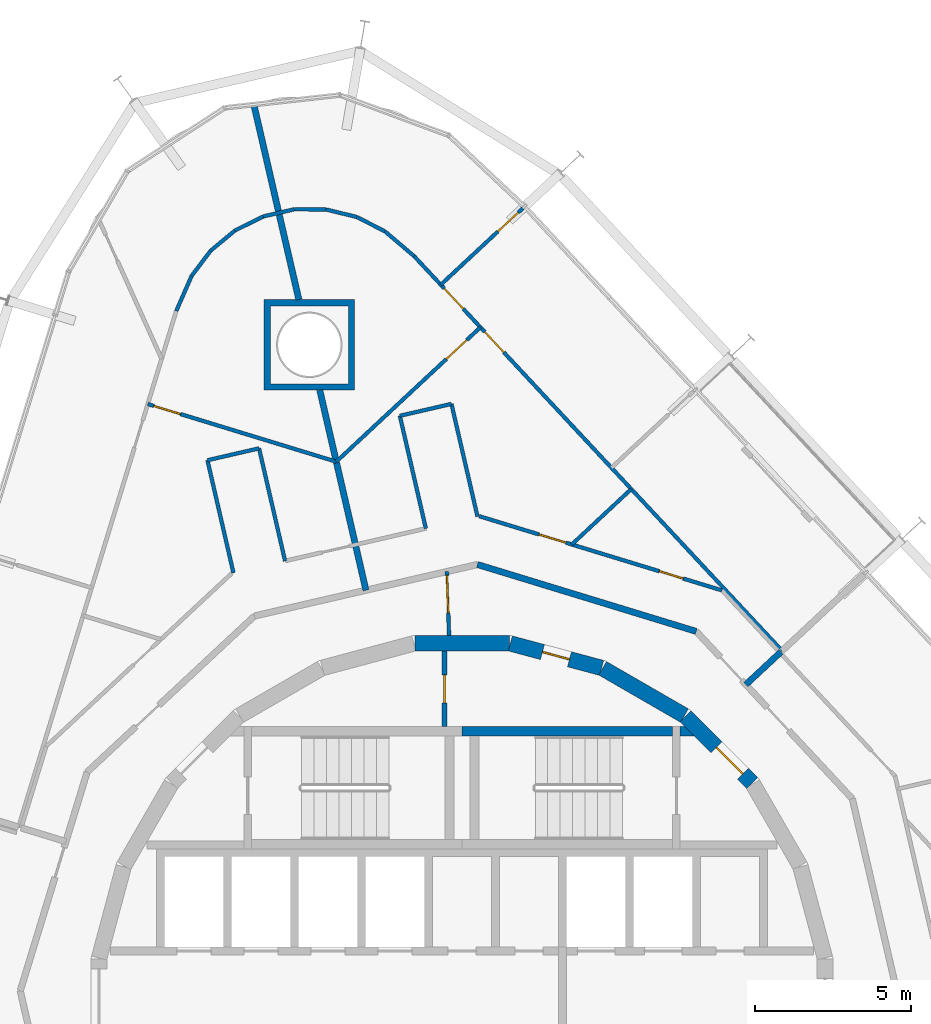
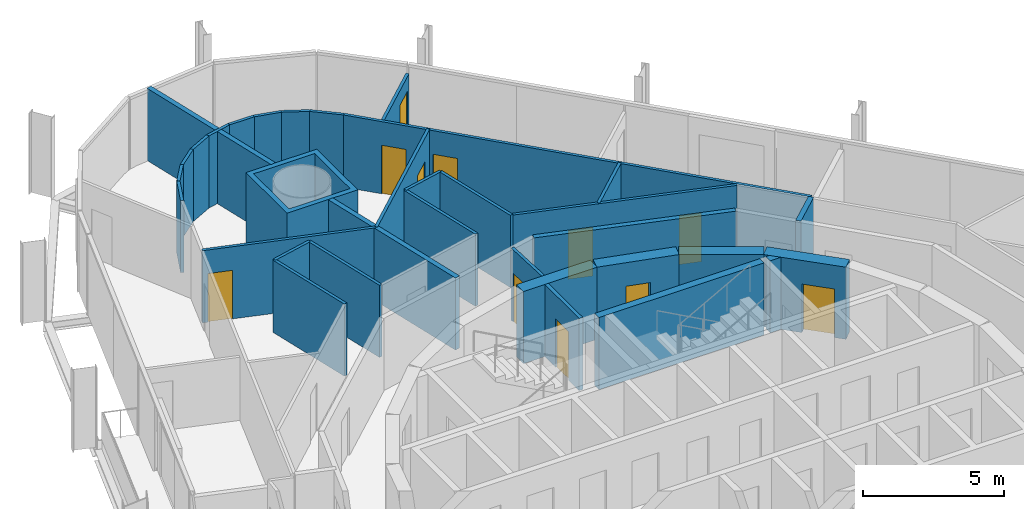
# One storey, part 16 of 18: 34 walls, 11 doors, 11 openings.
"""IFC4 building model written with IfcOpenShell, lengths in metres."""

from ifc_helpers import new_model, si_unit, direction, frame, frame_2d, origin, place, context, subcontext, project, spatial, polyline, rectangle, outline, extrude, material, layer, layer_set, type_object, element, fill, save


model = new_model("IFC4")

# Units and contexts
model_context = context("Model", 3, precision=1e-05, world=origin(), true_north=direction((0.0, 1.0)))
body_context = subcontext(model_context, "Body", "Model", "MODEL_VIEW")
ifc_project = project(units=[si_unit("LENGTHUNIT", "METRE"), si_unit("AREAUNIT", "SQUARE_METRE"), si_unit("VOLUMEUNIT", "CUBIC_METRE"), si_unit("PLANEANGLEUNIT", "RADIAN"), si_unit("MASSUNIT", "GRAM", prefix="KILO")], contexts=[model_context])

# Site, building, storey
site_placement = place(None, origin())
site = spatial("IfcSite", under=ifc_project, at=site_placement, CompositionType="ELEMENT")
building_placement = place(site_placement, origin())
building = spatial("IfcBuilding", under=site, at=building_placement, Name="Spindle Arch Residences", CompositionType="ELEMENT")
storey_placement = place(building_placement, frame((0.0, 0.0, 116.89990234375)))
storey = spatial("IfcBuildingStorey", under=building, at=storey_placement, Name="L28", CompositionType="ELEMENT", Elevation=116.89990234375)

# Wall, opening, door
ifc_material_1 = material(Name="Concrete C50/60", Category="concrete")
ifc_layer_1 = layer(ifc_material_1, 0.5)
ifc_layer_set_1 = layer_set([ifc_layer_1], Name="Core outline wall 500")
wall_type_1 = type_object("IfcWallType", Name="Core outline wall 500", PredefinedType="SHEAR", material=ifc_layer_set_1)
wall_1_placement = place(storey_placement, frame((9.30810546875, 7.163818359375, 0.0), z_axis=(0.0, 0.0, 1.0), x_axis=(-0.707106781187, 0.707106781187, 0.0)))
wall_1 = element("IfcWall", 1, at=wall_1_placement, inside=storey, type_object=wall_type_1, Name="Core outline wall 9", PredefinedType="SHEAR", context=body_context, shape_type="SweptSolid", body=[
    extrude(rectangle(XDim=3.032470703125, YDim=0.5, at=frame_2d((1.51611328125, 0.0))), origin(), (0.0, 0.0, 1.0), 3.1201171875),
])
opening_1_placement = place(wall_1_placement, frame((0.416259765625, 0.0, 0.0)))
opening_1 = element("IfcOpeningElement", 2, at=opening_1_placement, cuts=wall_1, Name="Opening R3A1-AD01", PredefinedType="OPENING", context=body_context, shape_type="SweptSolid", body=[
    extrude(rectangle(XDim=1.199951171875, YDim=2.10009765625, at=frame_2d((0.60009765625, 1.050048828125))), frame((0.0, 0.260009765625, 0.0), z_axis=(0.0, -1.0, 0.0), x_axis=(1.0, 0.0, 0.0)), (0.0, 0.0, 1.0), 0.52001953125),
])
ifc_material_2 = material(Name="Steel, fire-resisting door", Category="steel")
door_type_1 = type_object("IfcDoorType", Name="Stair airlock door 1200x2100", OperationType="SINGLE_SWING_LEFT", PredefinedType="DOOR", material=ifc_material_2)
door_1_placement = place(opening_1_placement, origin())
door_1 = element("IfcDoor", 3, at=door_1_placement, inside=storey, type_object=door_type_1, Name="Stair airlock door R3A1-AD01", OperationType="SINGLE_SWING_RIGHT", OverallHeight=2.10009765625, OverallWidth=1.199951171875, PredefinedType="DOOR", context=body_context, shape_type="SweptSolid", body=[
    extrude(rectangle(XDim=1.199951171875, YDim=2.10009765625, at=frame_2d((0.60009765625, 1.050048828125))), frame((0.0, 0.02490234375, 0.0), z_axis=(0.0, -1.0, 0.0), x_axis=(1.0, 0.0, 0.0)), (0.0, 0.0, 1.0), 0.050048828125),
])
fill(opening_1, door_1)

# Wall
wall_2_placement = place(storey_placement, frame((7.13671875, 9.32861328125, 0.0), z_axis=(0.0, 0.0, 1.0), x_axis=(-0.865975092491, 0.500087131594, 0.0)))
element("IfcWall", 4, at=wall_2_placement, inside=storey, type_object=wall_type_1, Name="Core outline wall 10", PredefinedType="SHEAR", context=body_context, shape_type="SweptSolid", body=[
    extrude(rectangle(XDim=3.03271484375, YDim=0.5, at=frame_2d((1.516357421875, 0.0))), origin(), (0.0, 0.0, 1.0), 3.1201171875),
])

# Wall, opening, door
wall_3_placement = place(storey_placement, frame((4.479248046875, 10.858154296875, 0.0), z_axis=(0.0, 0.0, 1.0), x_axis=(-0.965948410781, 0.258734743916, 0.0)))
wall_3 = element("IfcWall", 5, at=wall_3_placement, inside=storey, type_object=wall_type_1, Name="Core outline wall 11", PredefinedType="SHEAR", context=body_context, shape_type="SweptSolid", body=[
    extrude(rectangle(XDim=3.03271484375, YDim=0.5, at=frame_2d((1.516357421875, 0.0))), origin(), (0.0, 0.0, 1.0), 3.1201171875),
])
opening_2_placement = place(wall_3_placement, frame((1.066162109375, 0.0, 0.0)))
opening_2 = element("IfcOpeningElement", 6, at=opening_2_placement, cuts=wall_3, Name="Opening R3A1-WD12", PredefinedType="OPENING", context=body_context, shape_type="SweptSolid", body=[
    extrude(rectangle(XDim=0.89990234375, YDim=2.10009765625, at=frame_2d((0.449951171875, 1.050048828125))), frame((0.0, 0.260009765625, 0.0), z_axis=(0.0, -1.0, 0.0), x_axis=(1.0, 0.0, 0.0)), (0.0, 0.0, 1.0), 0.52001953125),
])
ifc_material_3 = material(Name="Steel, fire-resisting door", Category="steel")
door_type_2 = type_object("IfcDoorType", Name="Service room door 900x2100", OperationType="SINGLE_SWING_LEFT", PredefinedType="DOOR", material=ifc_material_3)
door_2_placement = place(opening_2_placement, origin())
door_2 = element("IfcDoor", 7, at=door_2_placement, inside=storey, type_object=door_type_2, Name="Service room door R3A1-WD12", OperationType="SINGLE_SWING_LEFT", OverallHeight=2.10009765625, OverallWidth=0.89990234375, PredefinedType="DOOR", context=body_context, shape_type="SweptSolid", body=[
    extrude(rectangle(XDim=0.89990234375, YDim=2.10009765625, at=frame_2d((0.449951171875, 1.050048828125))), frame((0.0, 0.02490234375, 0.0), z_axis=(0.0, -1.0, 0.0), x_axis=(1.0, 0.0, 0.0)), (0.0, 0.0, 1.0), 0.050048828125),
])
fill(opening_2, door_2)

# Wall
wall_4_placement = place(storey_placement, frame((1.516357421875, 11.647216796875, 0.0), z_axis=(0.0, 0.0, 1.0), x_axis=(-1.0, 0.0, 0.0)))
element("IfcWall", 8, at=wall_4_placement, inside=storey, type_object=wall_type_1, Name="Core outline wall 12", PredefinedType="SHEAR", context=body_context, shape_type="SweptSolid", body=[
    extrude(rectangle(XDim=3.03271484375, YDim=0.5, at=frame_2d((1.516357421875, 0.0))), origin(), (0.0, 0.0, 1.0), 3.1201171875),
])

# Wall, opening, door
ifc_material_4 = material(Name="Plasterboard on steel studs", Category="steel")
ifc_layer_2 = layer(ifc_material_4, 0.1201171875)
ifc_layer_set_2 = layer_set([ifc_layer_2], Name="Corridor division wall 120")
wall_type_2 = type_object("IfcWallType", Name="Corridor division wall 120", PredefinedType="PARTITIONING", material=ifc_layer_set_2)
wall_5_placement = place(storey_placement, frame((-0.487060546875, 13.947998046875, 0.0), z_axis=(0.0, 0.0, 1.0), x_axis=(0.034859752231, -0.999392214135, 0.0)))
wall_5 = element("IfcWall", 9, at=wall_5_placement, inside=storey, type_object=wall_type_2, Name="Corridor division wall R3A1-W001", PredefinedType="PARTITIONING", context=body_context, shape_type="SweptSolid", body=[
    extrude(rectangle(XDim=2.052001953125, YDim=0.1201171875, at=frame_2d((1.02587890625, 0.0))), origin(), (0.0, 0.0, 1.0), 3.1201171875),
])
opening_3_placement = place(wall_5_placement, frame((0.125, 0.0, 0.0)))
opening_3 = element("IfcOpeningElement", 10, at=opening_3_placement, cuts=wall_5, Name="Opening R3A1-CD01", PredefinedType="OPENING", context=body_context, shape_type="SweptSolid", body=[
    extrude(rectangle(XDim=1.199951171875, YDim=2.10009765625, at=frame_2d((0.60009765625, 1.050048828125))), frame((0.0, 0.070068359375, 0.0), z_axis=(0.0, -1.0, 0.0), x_axis=(1.0, 0.0, 0.0)), (0.0, 0.0, 1.0), 0.14013671875),
])
ifc_material_5 = material(Name="Steel, fire-resisting door", Category="steel")
door_type_3 = type_object("IfcDoorType", Name="Corridor division door 1200x2100", OperationType="NOTDEFINED", PredefinedType="DOOR", material=ifc_material_5)
door_3_placement = place(opening_3_placement, origin())
door_3 = element("IfcDoor", 11, at=door_3_placement, inside=storey, type_object=door_type_3, Name="Corridor division door R3A1-CD01", OperationType="DOUBLE_DOOR_SINGLE_SWING", OverallHeight=2.10009765625, OverallWidth=1.199951171875, PredefinedType="DOOR", context=body_context, shape_type="SweptSolid", body=[
    extrude(rectangle(XDim=1.199951171875, YDim=2.10009765625, at=frame_2d((0.60009765625, 1.050048828125))), frame((0.0, 0.02490234375, 0.0), z_axis=(0.0, -1.0, 0.0), x_axis=(1.0, 0.0, 0.0)), (0.0, 0.0, 1.0), 0.050048828125),
])
fill(opening_3, door_3)

# Wall
ifc_material_6 = material(Name="Calcium silicate block, plastered")
ifc_layer_3 = layer(ifc_material_6, 0.199951171875)
ifc_layer_set_3 = layer_set([ifc_layer_3], Name="Corridor wall 200")
wall_type_3 = type_object("IfcWallType", Name="Corridor wall 200", PredefinedType="STANDARD", material=ifc_layer_set_3)
wall_6_placement = place(storey_placement, frame((7.51611328125, 12.028076171875, 0.0), z_axis=(0.0, 0.0, 1.0), x_axis=(-0.956306642771, 0.292365533182, 0.0)))
element("IfcWall", 12, at=wall_6_placement, inside=storey, type_object=wall_type_3, Name="Corridor wall R3A1-W007", PredefinedType="STANDARD", context=body_context, shape_type="SweptSolid", body=[
    extrude(rectangle(XDim=7.341796875, YDim=0.199951171875, at=frame_2d((3.6708984375, 0.0))), origin(), (0.0, 0.0, 1.0), 3.1201171875),
])

# Wall, openings, doors
ifc_material_7 = material(Name="Plasterboard on steel studs", Category="steel")
ifc_layer_4 = layer(ifc_material_7, 0.1201171875)
ifc_layer_set_4 = layer_set([ifc_layer_4], Name="Flat partition 120")
wall_type_4 = type_object("IfcWallType", Name="Flat partition 120", PredefinedType="PARTITIONING", material=ifc_layer_set_4)
wall_7_placement = place(storey_placement, frame((8.3388671875, 13.34521484375, 0.0), z_axis=(0.0, 0.0, 1.0), x_axis=(-0.956310145342, 0.292354076276, 0.0)))
wall_7 = element("IfcWall", 13, at=wall_7_placement, inside=storey, type_object=wall_type_4, Name="Flat partition R3A1-W044", PredefinedType="PARTITIONING", context=body_context, shape_type="SweptSolid", body=[
    extrude(rectangle(XDim=8.1455078125, YDim=0.1201171875, at=frame_2d((4.07275390625, 0.0))), origin(), (0.0, 0.0, 1.0), 3.1201171875),
])
opening_4_placement = place(wall_7_placement, frame((1.300048828125, 0.0, 0.0)))
opening_4 = element("IfcOpeningElement", 14, at=opening_4_placement, cuts=wall_7, Name="Opening R3A1-BD03", PredefinedType="OPENING", context=body_context, shape_type="SweptSolid", body=[
    extrude(rectangle(XDim=0.800048828125, YDim=2.10009765625, at=frame_2d((0.39990234375, 1.050048828125))), frame((0.0, 0.070068359375, 0.0), z_axis=(0.0, -1.0, 0.0), x_axis=(1.0, 0.0, 0.0)), (0.0, 0.0, 1.0), 0.14013671875),
])
opening_5_placement = place(wall_7_placement, frame((5.236572265625, 0.0, 0.0)))
opening_5 = element("IfcOpeningElement", 15, at=opening_5_placement, cuts=wall_7, Name="Opening R3A1-ID06", PredefinedType="OPENING", context=body_context, shape_type="SweptSolid", body=[
    extrude(rectangle(XDim=0.89990234375, YDim=2.10009765625, at=frame_2d((0.449951171875, 1.050048828125))), frame((0.0, 0.070068359375, 0.0), z_axis=(0.0, -1.0, 0.0), x_axis=(1.0, 0.0, 0.0)), (0.0, 0.0, 1.0), 0.14013671875),
])
ifc_material_8 = material(Name="Timber door set", Category="wood")
door_type_4 = type_object("IfcDoorType", Name="Bathroom door 800x2100", OperationType="NOTDEFINED", PredefinedType="DOOR", material=ifc_material_8)
door_4_placement = place(opening_4_placement, origin())
door_4 = element("IfcDoor", 16, at=door_4_placement, inside=storey, type_object=door_type_4, Name="Bathroom door R3A1-BD03", OperationType="SINGLE_SWING_RIGHT", OverallHeight=2.10009765625, OverallWidth=0.800048828125, PredefinedType="DOOR", context=body_context, shape_type="SweptSolid", body=[
    extrude(rectangle(XDim=0.800048828125, YDim=2.10009765625, at=frame_2d((0.39990234375, 1.050048828125))), frame((0.0, 0.02490234375, 0.0), z_axis=(0.0, -1.0, 0.0), x_axis=(1.0, 0.0, 0.0)), (0.0, 0.0, 1.0), 0.050048828125),
])
fill(opening_4, door_4)
ifc_material_9 = material(Name="Timber door set", Category="wood")
door_type_5 = type_object("IfcDoorType", Name="Room door 900x2100", OperationType="NOTDEFINED", PredefinedType="DOOR", material=ifc_material_9)
door_5_placement = place(opening_5_placement, origin())
door_5 = element("IfcDoor", 17, at=door_5_placement, inside=storey, type_object=door_type_5, Name="Room door R3A1-ID06", OperationType="SINGLE_SWING_RIGHT", OverallHeight=2.10009765625, OverallWidth=0.89990234375, PredefinedType="DOOR", context=body_context, shape_type="SweptSolid", body=[
    extrude(rectangle(XDim=0.89990234375, YDim=2.10009765625, at=frame_2d((0.449951171875, 1.050048828125))), frame((0.0, 0.02490234375, 0.0), z_axis=(0.0, -1.0, 0.0), x_axis=(1.0, 0.0, 0.0)), (0.0, 0.0, 1.0), 0.050048828125),
])
fill(opening_5, door_5)

# Walls
wall_8_placement = place(storey_placement, frame((0.495849609375, 15.71435546875, 0.0), z_axis=(0.0, 0.0, 1.0), x_axis=(-0.224960478174, 0.974367889075, 0.0)))
element("IfcWall", 18, at=wall_8_placement, inside=storey, type_object=wall_type_4, Name="Flat partition R3A1-W045", PredefinedType="PARTITIONING", context=body_context, shape_type="SweptSolid", body=[
    extrude(rectangle(XDim=3.708251953125, YDim=0.1201171875, at=frame_2d((1.85400390625, 0.0))), origin(), (0.0, 0.0, 1.0), 3.1201171875),
])
wall_9_placement = place(storey_placement, frame((-0.33837890625, 19.32763671875, 0.0), z_axis=(0.0, 0.0, 1.0), x_axis=(-0.974383934081, -0.224890971374, 0.0)))
element("IfcWall", 19, at=wall_9_placement, inside=storey, type_object=wall_type_4, Name="Flat partition R3A1-W046", PredefinedType="PARTITIONING", context=body_context, shape_type="SweptSolid", body=[
    extrude(rectangle(XDim=1.699951171875, YDim=0.1201171875, at=frame_2d((0.85009765625, 0.0))), origin(), (0.0, 0.0, 1.0), 3.1201171875),
])
wall_10_placement = place(storey_placement, frame((-1.994873046875, 18.9453125, 0.0), z_axis=(0.0, 0.0, 1.0), x_axis=(0.224946048274, -0.974371220514, 0.0)))
element("IfcWall", 20, at=wall_10_placement, inside=storey, type_object=wall_type_4, Name="Flat partition R3A1-W047", PredefinedType="PARTITIONING", context=body_context, shape_type="SweptSolid", body=[
    extrude(rectangle(XDim=3.70849609375, YDim=0.1201171875, at=frame_2d((1.854248046875, 0.0))), origin(), (0.0, 0.0, 1.0), 3.1201171875),
])

# Wall, openings, doors
wall_11_placement = place(storey_placement, frame((-1.538818359375, 24.07080078125, 0.0), z_axis=(0.0, 0.0, 1.0), x_axis=(0.68200220595, -0.731350115252, 0.0)))
wall_11 = element("IfcWall", 21, at=wall_11_placement, inside=storey, type_object=wall_type_4, Name="Flat partition R3A1-W049", PredefinedType="PARTITIONING", context=body_context, shape_type="SweptSolid", body=[
    extrude(rectangle(XDim=17.315673828125, YDim=0.1201171875, at=frame_2d((8.65771484375, 0.0))), origin(), (0.0, 0.0, 1.0), 3.1201171875),
])
opening_6_placement = place(wall_11_placement, frame((3.322998046875, 0.0, 0.0)))
opening_6 = element("IfcOpeningElement", 22, at=opening_6_placement, cuts=wall_11, Name="Opening R3A1-ID07", PredefinedType="OPENING", context=body_context, shape_type="SweptSolid", body=[
    extrude(rectangle(XDim=0.89990234375, YDim=2.10009765625, at=frame_2d((0.449951171875, 1.050048828125))), frame((0.0, 0.070068359375, 0.0), z_axis=(0.0, -1.0, 0.0), x_axis=(1.0, 0.0, 0.0)), (0.0, 0.0, 1.0), 0.14013671875),
])
opening_7_placement = place(wall_11_placement, frame((1.417236328125, 0.0, 0.0)))
opening_7 = element("IfcOpeningElement", 23, at=opening_7_placement, cuts=wall_11, Name="Opening R3A1-ID11", PredefinedType="OPENING", context=body_context, shape_type="SweptSolid", body=[
    extrude(rectangle(XDim=0.89990234375, YDim=2.10009765625, at=frame_2d((0.449951171875, 1.050048828125))), frame((0.0, 0.070068359375, 0.0), z_axis=(0.0, -1.0, 0.0), x_axis=(1.0, 0.0, 0.0)), (0.0, 0.0, 1.0), 0.14013671875),
])
door_6_placement = place(opening_6_placement, origin())
door_6 = element("IfcDoor", 24, at=door_6_placement, inside=storey, type_object=door_type_5, Name="Room door R3A1-ID07", OperationType="SINGLE_SWING_RIGHT", OverallHeight=2.10009765625, OverallWidth=0.89990234375, PredefinedType="DOOR", context=body_context, shape_type="SweptSolid", body=[
    extrude(rectangle(XDim=0.89990234375, YDim=2.10009765625, at=frame_2d((0.449951171875, 1.050048828125))), frame((0.0, 0.02490234375, 0.0), z_axis=(0.0, -1.0, 0.0), x_axis=(1.0, 0.0, 0.0)), (0.0, 0.0, 1.0), 0.050048828125),
])
fill(opening_6, door_6)
door_7_placement = place(opening_7_placement, origin())
door_7 = element("IfcDoor", 25, at=door_7_placement, inside=storey, type_object=door_type_5, Name="Room door R3A1-ID11", OperationType="SINGLE_SWING_LEFT", OverallHeight=2.10009765625, OverallWidth=0.89990234375, PredefinedType="DOOR", context=body_context, shape_type="SweptSolid", body=[
    extrude(rectangle(XDim=0.89990234375, YDim=2.10009765625, at=frame_2d((0.449951171875, 1.050048828125))), frame((0.0, 0.02490234375, 0.0), z_axis=(0.0, -1.0, 0.0), x_axis=(1.0, 0.0, 0.0)), (0.0, 0.0, 1.0), 0.050048828125),
])
fill(opening_7, door_7)

# Wall
wall_12_placement = place(storey_placement, frame((5.4306640625, 16.596923828125, 0.0), z_axis=(0.0, 0.0, 1.0), x_axis=(-0.731378807316, -0.681971436505, 0.0)))
element("IfcWall", 26, at=wall_12_placement, inside=storey, type_object=wall_type_4, Name="Flat partition R3A1-W051", PredefinedType="PARTITIONING", context=body_context, shape_type="SweptSolid", body=[
    extrude(rectangle(XDim=2.609130859375, YDim=0.1201171875, at=frame_2d((1.3046875, 0.0))), origin(), (0.0, 0.0, 1.0), 3.1201171875),
])

# Wall, opening, door
wall_13_placement = place(storey_placement, frame((0.591064453125, 21.786865234375, 0.0), z_axis=(0.0, 0.0, 1.0), x_axis=(-0.731363296574, -0.681988070588, 0.0)))
wall_13 = element("IfcWall", 27, at=wall_13_placement, inside=storey, type_object=wall_type_4, Name="Flat partition R3A1-W053", PredefinedType="PARTITIONING", context=body_context, shape_type="SweptSolid", body=[
    extrude(rectangle(XDim=6.32421875, YDim=0.1201171875, at=frame_2d((3.162109375, 0.0))), origin(), (0.0, 0.0, 1.0), 3.1201171875),
])
opening_8_placement = place(wall_13_placement, frame((0.60009765625, 0.0, 0.0)))
opening_8 = element("IfcOpeningElement", 28, at=opening_8_placement, cuts=wall_13, Name="Opening R3A1-ID08", PredefinedType="OPENING", context=body_context, shape_type="SweptSolid", body=[
    extrude(rectangle(XDim=0.89990234375, YDim=2.10009765625, at=frame_2d((0.449951171875, 1.050048828125))), frame((0.0, 0.070068359375, 0.0), z_axis=(0.0, -1.0, 0.0), x_axis=(1.0, 0.0, 0.0)), (0.0, 0.0, 1.0), 0.14013671875),
])
door_8_placement = place(opening_8_placement, origin())
door_8 = element("IfcDoor", 29, at=door_8_placement, inside=storey, type_object=door_type_5, Name="Room door R3A1-ID08", OperationType="SINGLE_SWING_RIGHT", OverallHeight=2.10009765625, OverallWidth=0.89990234375, PredefinedType="DOOR", context=body_context, shape_type="SweptSolid", body=[
    extrude(rectangle(XDim=0.89990234375, YDim=2.10009765625, at=frame_2d((0.449951171875, 1.050048828125))), frame((0.0, 0.02490234375, 0.0), z_axis=(0.0, -1.0, 0.0), x_axis=(1.0, 0.0, 0.0)), (0.0, 0.0, 1.0), 0.050048828125),
])
fill(opening_8, door_8)

# Walls
for number, where, z_axis, x_axis, name in (
    (30, (-6.372314453125, 25.34375, 0.0), (0.0, 0.0, 1.0), (0.974366885246, 0.224964825997, 0.0), "Flat partition R3A1-W054"),
    (31, (-5.382568359375, 25.572265625, 0.0), (0.0, 0.0, 1.0), (0.999983366401, -0.005767748328, 0.0), "Flat partition R3A1-W055"),
):
    element("IfcWall", number, at=place(storey_placement, frame(where, z_axis=z_axis, x_axis=x_axis)), inside=storey, type_object=wall_type_4, Name=name, PredefinedType="PARTITIONING", context=body_context, shape_type="SweptSolid", body=[
        extrude(rectangle(XDim=1.015869140625, YDim=0.1201171875, at=frame_2d((0.5078125, 0.0))), origin(), (0.0, 0.0, 1.0), 3.1201171875),
    ])
wall_14_placement = place(storey_placement, frame((-4.36669921875, 25.56640625, 0.0), z_axis=(0.0, 0.0, 1.0), x_axis=(0.971704876381, -0.236198292157, 0.0)))
element("IfcWall", 32, at=wall_14_placement, inside=storey, type_object=wall_type_4, Name="Flat partition R3A1-W056", PredefinedType="PARTITIONING", context=body_context, shape_type="SweptSolid", body=[
    extrude(rectangle(XDim=1.01611328125, YDim=0.1201171875, at=frame_2d((0.508056640625, 0.0))), origin(), (0.0, 0.0, 1.0), 3.1201171875),
])
wall_15_placement = place(storey_placement, frame((-3.37939453125, 25.326416015625, 0.0), z_axis=(0.0, 0.0, 1.0), x_axis=(0.890890892221, -0.454217368842, 0.0)))
element("IfcWall", 33, at=wall_15_placement, inside=storey, type_object=wall_type_4, Name="Flat partition R3A1-W057", PredefinedType="PARTITIONING", context=body_context, shape_type="SweptSolid", body=[
    extrude(rectangle(XDim=1.015869140625, YDim=0.1201171875, at=frame_2d((0.5078125, 0.0))), origin(), (0.0, 0.0, 1.0), 3.1201171875),
])
wall_16_placement = place(storey_placement, frame((-2.474365234375, 24.864990234375, 0.0), z_axis=(0.0, 0.0, 1.0), x_axis=(0.762351487461, -0.647163201647, 0.0)))
element("IfcWall", 34, at=wall_16_placement, inside=storey, type_object=wall_type_4, Name="Flat partition R3A1-W058", PredefinedType="PARTITIONING", context=body_context, shape_type="SweptSolid", body=[
    extrude(rectangle(XDim=1.227294921875, YDim=0.1201171875, at=frame_2d((0.61376953125, 0.0))), origin(), (0.0, 0.0, 1.0), 3.1201171875),
])
wall_17_placement = place(storey_placement, frame((-5.677490234375, 14.2890625, 0.0), z_axis=(0.0, 0.0, 1.0), x_axis=(-0.224960478174, 0.974367889075, 0.0)))
element("IfcWall", 35, at=wall_17_placement, inside=storey, type_object=wall_type_4, Name="Flat partition R3A1-W059", PredefinedType="PARTITIONING", context=body_context, shape_type="SweptSolid", body=[
    extrude(rectangle(XDim=3.708251953125, YDim=0.1201171875, at=frame_2d((1.85400390625, 0.0))), origin(), (0.0, 0.0, 1.0), 3.1201171875),
])
wall_18_placement = place(storey_placement, frame((-6.51171875, 17.90234375, 0.0), z_axis=(0.0, 0.0, 1.0), x_axis=(-0.974376669418, -0.224922444621, 0.0)))
element("IfcWall", 36, at=wall_18_placement, inside=storey, type_object=wall_type_4, Name="Flat partition R3A1-W060", PredefinedType="PARTITIONING", context=body_context, shape_type="SweptSolid", body=[
    extrude(rectangle(XDim=1.69970703125, YDim=0.1201171875, at=frame_2d((0.849853515625, 0.0))), origin(), (0.0, 0.0, 1.0), 3.1201171875),
])
wall_19_placement = place(storey_placement, frame((-8.16796875, 17.52001953125, 0.0), z_axis=(0.0, 0.0, 1.0), x_axis=(0.224960478174, -0.974367889075, 0.0)))
element("IfcWall", 37, at=wall_19_placement, inside=storey, type_object=wall_type_4, Name="Flat partition R3A1-W061", PredefinedType="PARTITIONING", context=body_context, shape_type="SweptSolid", body=[
    extrude(rectangle(XDim=3.708251953125, YDim=0.1201171875, at=frame_2d((1.85400390625, 0.0))), origin(), (0.0, 0.0, 1.0), 3.1201171875),
])
wall_20_placement = place(storey_placement, frame((-6.372314453125, 25.34375, 0.0), z_axis=(0.0, 0.0, 1.0), x_axis=(-0.896341374877, -0.443364567466, 0.0)))
element("IfcWall", 38, at=wall_20_placement, inside=storey, type_object=wall_type_4, Name="Flat partition R3A1-W064", PredefinedType="PARTITIONING", context=body_context, shape_type="SweptSolid", body=[
    extrude(rectangle(XDim=1.015869140625, YDim=0.1201171875, at=frame_2d((0.5078125, 0.0))), origin(), (0.0, 0.0, 1.0), 3.1201171875),
])
wall_21_placement = place(storey_placement, frame((-7.282958984375, 24.893310546875, 0.0), z_axis=(0.0, 0.0, 1.0), x_axis=(-0.769657158348, -0.638457405473, 0.0)))
element("IfcWall", 39, at=wall_21_placement, inside=storey, type_object=wall_type_4, Name="Flat partition R3A1-W065", PredefinedType="PARTITIONING", context=body_context, shape_type="SweptSolid", body=[
    extrude(rectangle(XDim=1.01611328125, YDim=0.1201171875, at=frame_2d((0.508056640625, 0.0))), origin(), (0.0, 0.0, 1.0), 3.1201171875),
])
wall_22_placement = place(storey_placement, frame((-8.06494140625, 24.24462890625, 0.0), z_axis=(0.0, 0.0, 1.0), x_axis=(-0.601959070304, -0.798526942363, 0.0)))
element("IfcWall", 40, at=wall_22_placement, inside=storey, type_object=wall_type_4, Name="Flat partition R3A1-W066", PredefinedType="PARTITIONING", context=body_context, shape_type="SweptSolid", body=[
    extrude(rectangle(XDim=1.015869140625, YDim=0.1201171875, at=frame_2d((0.5078125, 0.0))), origin(), (0.0, 0.0, 1.0), 3.1201171875),
])
wall_23_placement = place(storey_placement, frame((-8.676513671875, 23.433349609375, 0.0), z_axis=(0.0, 0.0, 1.0), x_axis=(-0.401351130635, -0.915924270853, 0.0)))
element("IfcWall", 41, at=wall_23_placement, inside=storey, type_object=wall_type_4, Name="Flat partition R3A1-W067", PredefinedType="PARTITIONING", context=body_context, shape_type="SweptSolid", body=[
    extrude(rectangle(XDim=1.22705078125, YDim=0.1201171875, at=frame_2d((0.613525390625, 0.0))), origin(), (0.0, 0.0, 1.0), 3.1201171875),
])

# Wall, opening, door
wall_24_placement = place(storey_placement, frame((-10.08203125, 19.322998046875, 0.0), z_axis=(0.0, 0.0, 1.0), x_axis=(0.956300011431, -0.292387222936, 0.0)))
wall_24 = element("IfcWall", 42, at=wall_24_placement, inside=storey, type_object=wall_type_4, Name="Flat partition R3A1-W069", PredefinedType="PARTITIONING", context=body_context, shape_type="SweptSolid", body=[
    extrude(rectangle(XDim=6.32421875, YDim=0.1201171875, at=frame_2d((3.162109375, 0.0))), origin(), (0.0, 0.0, 1.0), 3.1201171875),
])
opening_9_placement = place(wall_24_placement, frame((0.199951171875, 0.0, 0.0)))
opening_9 = element("IfcOpeningElement", 43, at=opening_9_placement, cuts=wall_24, Name="Opening R3A1-ID13", PredefinedType="OPENING", context=body_context, shape_type="SweptSolid", body=[
    extrude(rectangle(XDim=0.89990234375, YDim=2.10009765625, at=frame_2d((0.449951171875, 1.050048828125))), frame((0.0, 0.070068359375, 0.0), z_axis=(0.0, -1.0, 0.0), x_axis=(1.0, 0.0, 0.0)), (0.0, 0.0, 1.0), 0.14013671875),
])
door_9_placement = place(opening_9_placement, origin())
door_9 = element("IfcDoor", 44, at=door_9_placement, inside=storey, type_object=door_type_5, Name="Room door R3A1-ID13", OperationType="SINGLE_SWING_LEFT", OverallHeight=2.10009765625, OverallWidth=0.89990234375, PredefinedType="DOOR", context=body_context, shape_type="SweptSolid", body=[
    extrude(rectangle(XDim=0.89990234375, YDim=2.10009765625, at=frame_2d((0.449951171875, 1.050048828125))), frame((0.0, 0.02490234375, 0.0), z_axis=(0.0, -1.0, 0.0), x_axis=(1.0, 0.0, 0.0)), (0.0, 0.0, 1.0), 0.050048828125),
])
fill(opening_9, door_9)

ifc_material_10 = material(Name="Plasterboard on steel studs", Category="steel")
ifc_layer_5 = layer(ifc_material_10, 0.1201171875)
ifc_layer_set_5 = layer_set([ifc_layer_5], Name="Flat partition 120 under beam 2730")
wall_type_5 = type_object("IfcWallType", Name="Flat partition 120 under beam 2730", PredefinedType="PARTITIONING", material=ifc_layer_set_5)
wall_25_placement = place(storey_placement, frame((1.951416015625, 25.606689453125, 0.0), z_axis=(0.0, 0.0, 1.0), x_axis=(-0.731328084739, -0.682025829769, 0.0)))
wall_25 = element("IfcWall", 45, at=wall_25_placement, inside=storey, type_object=wall_type_5, Name="Flat partition R3A1-W052", PredefinedType="PARTITIONING", context=body_context, shape_type="SweptSolid", body=[
    extrude(rectangle(XDim=3.60009765625, YDim=0.1201171875, at=frame_2d((1.800048828125, 0.0))), origin(), (0.0, 0.0, 1.0), 2.72998046875),
])
opening_10_placement = place(wall_25_placement, frame((0.199951171875, 0.0, 0.0)))
opening_10 = element("IfcOpeningElement", 46, at=opening_10_placement, cuts=wall_25, Name="Opening R3A1-ID10", PredefinedType="OPENING", context=body_context, shape_type="SweptSolid", body=[
    extrude(rectangle(XDim=0.89990234375, YDim=2.10009765625, at=frame_2d((0.449951171875, 1.050048828125))), frame((0.0, 0.070068359375, 0.0), z_axis=(0.0, -1.0, 0.0), x_axis=(1.0, 0.0, 0.0)), (0.0, 0.0, 1.0), 0.14013671875),
])
door_10_placement = place(opening_10_placement, origin())
door_10 = element("IfcDoor", 47, at=door_10_placement, inside=storey, type_object=door_type_5, Name="Room door R3A1-ID10", OperationType="SINGLE_SWING_RIGHT", OverallHeight=2.10009765625, OverallWidth=0.89990234375, PredefinedType="DOOR", context=body_context, shape_type="SweptSolid", body=[
    extrude(rectangle(XDim=0.89990234375, YDim=2.10009765625, at=frame_2d((0.449951171875, 1.050048828125))), frame((0.0, 0.02490234375, 0.0), z_axis=(0.0, -1.0, 0.0), x_axis=(1.0, 0.0, 0.0)), (0.0, 0.0, 1.0), 0.050048828125),
])
fill(opening_10, door_10)

# Walls
ifc_material_11 = material(Name="Calcium silicate block, plastered")
ifc_layer_6 = layer(ifc_material_11, 0.199951171875)
ifc_layer_set_6 = layer_set([ifc_layer_6], Name="Flat party wall 200")
wall_type_6 = type_object("IfcWallType", Name="Flat party wall 200", PredefinedType="STANDARD", material=ifc_layer_set_6)
wall_26_placement = place(storey_placement, frame((10.233154296875, 11.372314453125, 0.0), z_axis=(0.0, 0.0, 1.0), x_axis=(-0.731329353292, -0.682024469513, 0.0)))
element("IfcWall", 48, at=wall_26_placement, inside=storey, type_object=wall_type_6, Name="Flat party wall R3A1-W016", PredefinedType="STANDARD", context=body_context, shape_type="SweptSolid", body=[
    extrude(rectangle(XDim=1.5400390625, YDim=0.199951171875, at=frame_2d((0.77001953125, 0.0))), origin(), (0.0, 0.0, 1.0), 3.1201171875),
])
wall_27_placement = place(storey_placement, frame((-4.56494140625, 19.7734375, 0.0), z_axis=(0.0, 0.0, 1.0), x_axis=(0.224940633072, -0.974372470667, 0.0)))
element("IfcWall", 49, at=wall_27_placement, inside=storey, type_object=wall_type_6, Name="Flat party wall R3A1-W021", PredefinedType="STANDARD", context=body_context, shape_type="SweptSolid", body=[
    extrude(rectangle(XDim=6.593505859375, YDim=0.199951171875, at=frame_2d((3.296875, 0.0))), origin(), (0.0, 0.0, 1.0), 3.1201171875),
])
wall_28_placement = place(storey_placement, frame((-6.687255859375, 28.9658203125, 0.0), z_axis=(0.0, 0.0, 1.0), x_axis=(0.224945100086, -0.974371439415, 0.0)))
element("IfcWall", 50, at=wall_28_placement, inside=storey, type_object=wall_type_6, Name="Flat party wall R3A1-W022", PredefinedType="STANDARD", context=body_context, shape_type="SweptSolid", body=[
    extrude(rectangle(XDim=6.457763671875, YDim=0.199951171875, at=frame_2d((3.22900390625, 0.0))), origin(), (0.0, 0.0, 1.0), 3.1201171875),
])
ifc_material_12 = material(Name="Calcium silicate block, plastered")
ifc_layer_7 = layer(ifc_material_12, 0.199951171875)
ifc_layer_set_7 = layer_set([ifc_layer_7], Name="Mega-column casing wall 200")
wall_type_7 = type_object("IfcWallType", Name="Mega-column casing wall 200", PredefinedType="STANDARD", material=ifc_layer_set_7)
wall_29_placement = place(storey_placement, origin())
element("IfcWall", 51, at=wall_29_placement, inside=storey, type_object=wall_type_7, Name="Mega-column casing wall R3A1-WC01", PredefinedType="STANDARD", context=body_context, shape_type="SweptSolid", body=[
    extrude(outline(polyline([(-3.44970703125, 22.673583984375), (-3.44970703125, 19.7734375), (-6.349853515625, 19.7734375), (-6.349853515625, 22.673583984375), (-3.44970703125, 22.673583984375)]), holes=[polyline([(-6.14990234375, 19.973388671875), (-3.64990234375, 19.973388671875), (-3.64990234375, 22.473388671875), (-6.14990234375, 22.473388671875), (-6.14990234375, 19.973388671875)])]), origin(), (0.0, 0.0, 1.0), 3.1201171875),
])

# Wall, opening, door
ifc_material_13 = material(Name="Concrete C25/30", Category="concrete")
ifc_layer_8 = layer(ifc_material_13, 0.14990234375)
ifc_layer_set_8 = layer_set([ifc_layer_8], Name="Service room partition 150")
wall_type_8 = type_object("IfcWallType", Name="Service room partition 150", PredefinedType="PARTITIONING", material=ifc_layer_set_8)
wall_30_placement = place(storey_placement, frame((-0.5615234375, 8.969970703125, 0.0), z_axis=(0.0, 0.0, 1.0), x_axis=(0.0, 1.0, 0.0)))
wall_30 = element("IfcWall", 52, at=wall_30_placement, inside=storey, type_object=wall_type_8, Name="Core service room partition", PredefinedType="PARTITIONING", context=body_context, shape_type="SweptSolid", body=[
    extrude(rectangle(XDim=2.42724609375, YDim=0.14990234375, at=frame_2d((1.213623046875, 0.0))), origin(), (0.0, 0.0, 1.0), 3.1201171875),
])
opening_11_placement = place(wall_30_placement, frame((0.763671875, 0.0, 0.0)))
opening_11 = element("IfcOpeningElement", 53, at=opening_11_placement, cuts=wall_30, Name="Opening R3A1-WD07", PredefinedType="OPENING", context=body_context, shape_type="SweptSolid", body=[
    extrude(rectangle(XDim=0.89990234375, YDim=2.10009765625, at=frame_2d((0.449951171875, 1.050048828125))), frame((0.0, 0.0849609375, 0.0), z_axis=(0.0, -1.0, 0.0), x_axis=(1.0, 0.0, 0.0)), (0.0, 0.0, 1.0), 0.169921875),
])
door_11_placement = place(opening_11_placement, origin())
door_11 = element("IfcDoor", 54, at=door_11_placement, inside=storey, type_object=door_type_2, Name="Service room door R3A1-WD07", OperationType="SINGLE_SWING_RIGHT", OverallHeight=2.10009765625, OverallWidth=0.89990234375, PredefinedType="DOOR", context=body_context, shape_type="SweptSolid", body=[
    extrude(rectangle(XDim=0.89990234375, YDim=2.10009765625, at=frame_2d((0.449951171875, 1.050048828125))), frame((0.0, 0.02490234375, 0.0), z_axis=(0.0, -1.0, 0.0), x_axis=(1.0, 0.0, 0.0)), (0.0, 0.0, 1.0), 0.050048828125),
])
fill(opening_11, door_11)

# Walls
ifc_material_14 = material(Name="Concrete C40/50", Category="concrete")
wall_type_9 = type_object("IfcWallType", Name="Stair airlock wall profile", PredefinedType="SHEAR", material=ifc_material_14)
wall_31_placement = place(storey_placement, origin())
element("IfcWall", 55, at=wall_31_placement, inside=storey, type_object=wall_type_9, Name="Stair ST-1 airlock wall N", PredefinedType="SHEAR", context=body_context, shape_type="SweptSolid", body=[
    extrude(outline(polyline([(7.4482421875, 8.669921875), (7.0, 8.669921875), (7.0, 8.969970703125), (7.148193359375, 8.969970703125), (7.4482421875, 8.669921875)])), origin(), (0.0, 0.0, 1.0), 3.1201171875),
])
ifc_material_15 = material(Name="Concrete C50/60", Category="concrete")
ifc_layer_9 = layer(ifc_material_15, 0.300048828125)
ifc_layer_set_9 = layer_set([ifc_layer_9], Name="Stair enclosure wall 300")
wall_type_10 = type_object("IfcWallType", Name="Stair enclosure wall 300", PredefinedType="SHEAR", material=ifc_layer_set_9)
wall_32_placement = place(storey_placement, frame((0.0, 8.820068359375, 0.0), z_axis=(0.0, 0.0, 1.0), x_axis=(1.0, 0.0, 0.0)))
element("IfcWall", 56, at=wall_32_placement, inside=storey, type_object=wall_type_10, Name="Stair ST-1 enclosure wall N", PredefinedType="SHEAR", context=body_context, shape_type="SweptSolid", body=[
    extrude(rectangle(XDim=6.75, YDim=0.300048828125, at=frame_2d((3.375, 0.0))), origin(), (0.0, 0.0, 1.0), 3.1201171875),
])

save(model, "model.ifc")
